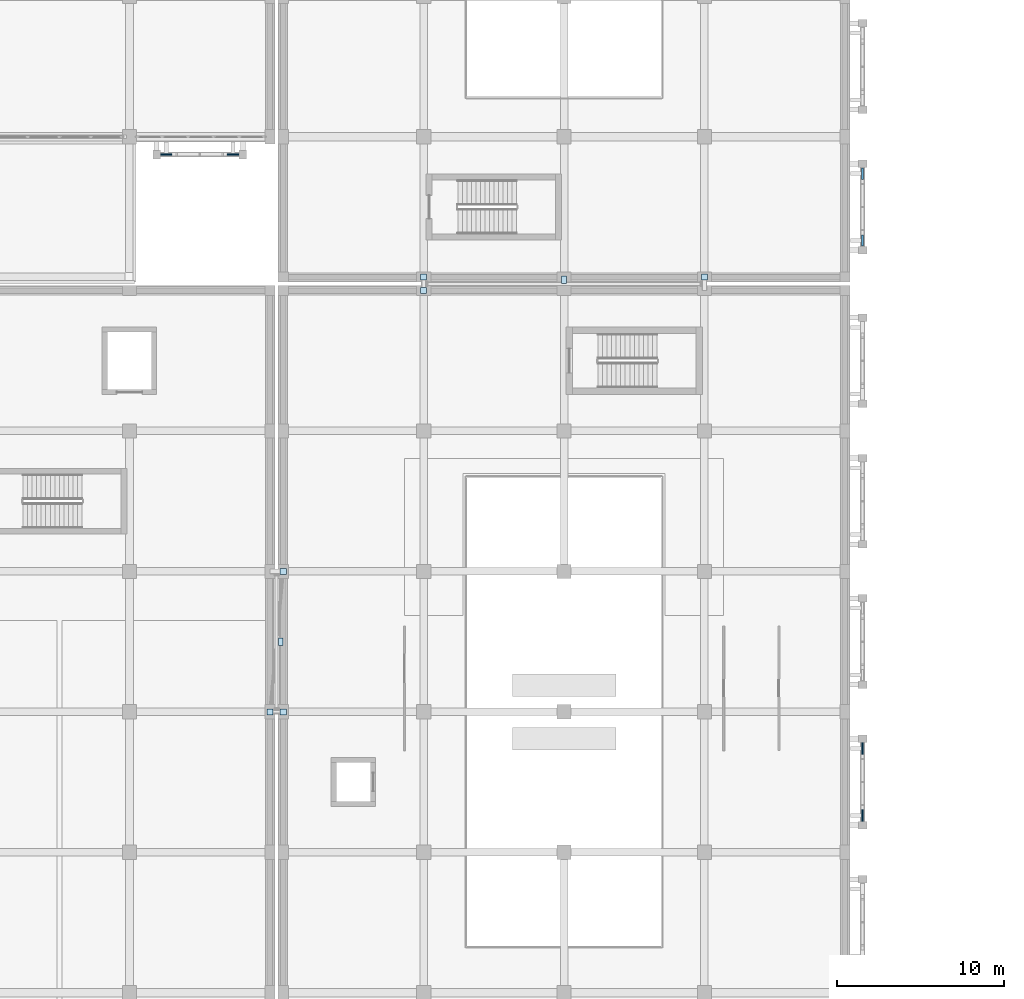
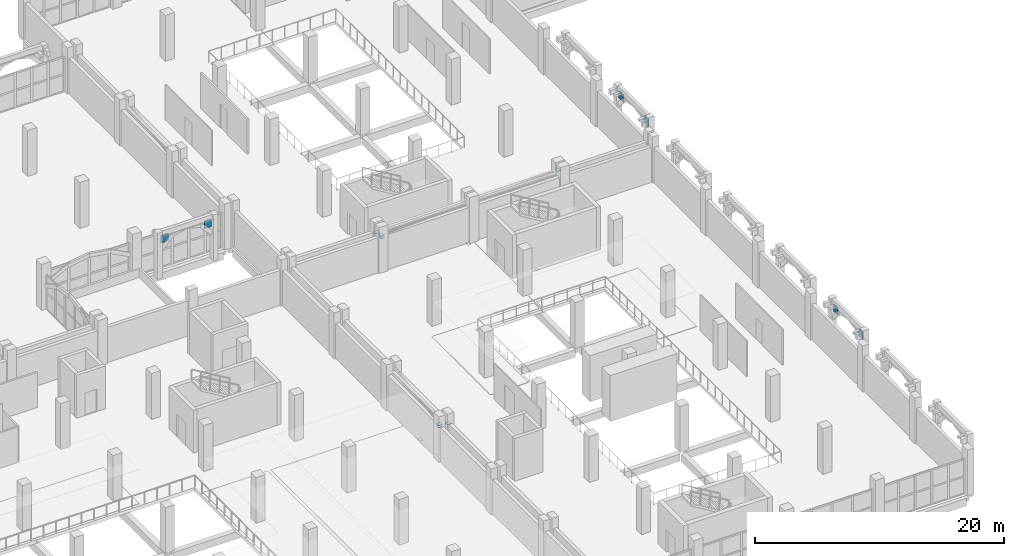
# One storey, part 109 of 137: 16 plates.
"""IFC4 building model written with IfcOpenShell, lengths in metres."""

from ifc_helpers import new_model, si_unit, direction, frame, origin, origin_2d, place, context, subcontext, project, spatial, rectangle, extrude, material, layer, layer_set, type_object, element, save


model = new_model("IFC4")

# Units and contexts
model_context = context("Model", 3, precision=1e-05, world=origin(), true_north=direction((0.0, 1.0)))
body_context = subcontext(model_context, "Body", "Model", "MODEL_VIEW")
ifc_project = project(units=[si_unit("LENGTHUNIT", "METRE"), si_unit("AREAUNIT", "SQUARE_METRE"), si_unit("VOLUMEUNIT", "CUBIC_METRE"), si_unit("PLANEANGLEUNIT", "RADIAN"), si_unit("MASSUNIT", "GRAM", prefix="KILO")], contexts=[model_context])

# Site, building, storey
site_placement = place(None, origin())
site = spatial("IfcSite", under=ifc_project, at=site_placement, CompositionType="ELEMENT")
building_placement = place(site_placement, origin())
building = spatial("IfcBuilding", under=site, at=building_placement, Name="Xazarin Passage Department Store", CompositionType="ELEMENT")
storey_placement = place(building_placement, frame((0.0, 0.0, 5.39990234375)))
storey = spatial("IfcBuildingStorey", under=building, at=storey_placement, Name="L01", CompositionType="ELEMENT", Elevation=5.39990234375)

# Plates
ifc_material_1 = material(Name="Precast concrete C40/50", Category="concrete")
ifc_layer_1 = layer(ifc_material_1, 0.080078125)
ifc_layer_set_1 = layer_set([ifc_layer_1], Name="Precast concrete C40/50")
plate_type_1 = type_object("IfcPlateType", Name="ARC-PLT-SCR-01", PredefinedType="USERDEFINED", material=ifc_layer_set_1)
for number, where, z_axis, x_axis, name in (
    (1, (102.64990234375, 19.0, 3.26025390625), (0.0, 0.0, 1.0), (0.0, 1.0, 0.0), "L01 V2S Arch Spandrel Tympanum 0181"),
    (2, (102.64990234375, 23.0, 3.26025390625), (0.0, 0.0, 1.0), (0.0, 1.0, 0.0), "L01 V2S Arch Spandrel Tympanum 0182"),
):
    element("IfcPlate", number, at=place(storey_placement, frame(where, z_axis=z_axis, x_axis=x_axis)), inside=storey, type_object=plate_type_1, Name=name, ObjectType="SCREEN PANEL", PredefinedType="USERDEFINED", context=body_context, shape_type="SweptSolid", body=[
        extrude(rectangle(XDim=0.679931640625, YDim=0.080078125, at=origin_2d()), origin(), (0.0, 0.0, 1.0), 0.719970703125),
    ])
ifc_layer_2 = layer(ifc_material_1, 0.10009765625)
ifc_layer_set_2 = layer_set([ifc_layer_2], Name="Precast concrete C40/50")
plate_type_2 = type_object("IfcPlateType", Name="ARC-PLT-SCR-03", PredefinedType="USERDEFINED", material=ifc_layer_set_2)
for number, where, z_axis, x_axis, name in (
    (3, (61.0, 58.550048828125, 3.26025390625), (0.0, 0.0, 1.0), (1.0, 0.0, 0.0), "L01 V1 Arch Spandrel Tympanum 0063"),
    (4, (65.0, 58.550048828125, 3.26025390625), (0.0, 0.0, 1.0), (1.0, 0.0, 0.0), "L01 V1 Arch Spandrel Tympanum 0064"),
):
    element("IfcPlate", number, at=place(storey_placement, frame(where, z_axis=z_axis, x_axis=x_axis)), inside=storey, type_object=plate_type_2, Name=name, ObjectType="SCREEN PANEL", PredefinedType="USERDEFINED", context=body_context, shape_type="SweptSolid", body=[
        extrude(rectangle(XDim=0.679931640625, YDim=0.10009765625, at=origin_2d()), origin(), (0.0, 0.0, 1.0), 0.719970703125),
    ])
ifc_layer_3 = layer(ifc_material_1, 0.1201171875)
ifc_layer_set_3 = layer_set([ifc_layer_3], Name="Precast concrete C40/50")
plate_type_3 = type_object("IfcPlateType", Name="ARC-PLT-SCR-05", PredefinedType="USERDEFINED", material=ifc_layer_set_3)
for number, where, z_axis, x_axis, name in (
    (5, (102.64990234375, 53.39990234375, 3.26025390625), (0.0, 0.0, 1.0), (0.0, 1.0, 0.0), "L01 V2N Arch Spandrel Tympanum 0205"),
    (6, (102.64990234375, 57.39990234375, 3.26025390625), (0.0, 0.0, 1.0), (0.0, 1.0, 0.0), "L01 V2N Arch Spandrel Tympanum 0206"),
):
    element("IfcPlate", number, at=place(storey_placement, frame(where, z_axis=z_axis, x_axis=x_axis)), inside=storey, type_object=plate_type_3, Name=name, ObjectType="SCREEN PANEL", PredefinedType="USERDEFINED", context=body_context, shape_type="SweptSolid", body=[
        extrude(rectangle(XDim=0.679931640625, YDim=0.1201171875, at=origin_2d()), origin(), (0.0, 0.0, 1.0), 0.719970703125),
    ])
ifc_material_2 = material(Name="Steel S355", Category="steel")
ifc_layer_4 = layer(ifc_material_2, 0.030029296875)
ifc_layer_set_4 = layer_set([ifc_layer_4], Name="Steel S355")
plate_type_4 = type_object("IfcPlateType", Name="STR-PLT-BRG30", PredefinedType="USERDEFINED", material=ifc_layer_set_4)
for number, where, z_axis, x_axis, name in (
    (7, (67.85009765625, 29.39990234375, -0.81982421875), (0.0, 0.0, 1.0), (1.0, 0.0, 0.0), "L01 BR-V2S-V3 PTFE Sliding Bearing Plate"),
    (8, (84.800048828125, 51.050048828125, -0.72998046875), (0.0, 0.0, 1.0), (1.0, 0.0, 0.0), "L01 BR-V2S-V2N PTFE Sliding Bearing Plate"),
):
    element("IfcPlate", number, at=place(storey_placement, frame(where, z_axis=z_axis, x_axis=x_axis)), inside=storey, type_object=plate_type_4, Name=name, ObjectType="BASE PLATE", PredefinedType="USERDEFINED", context=body_context, shape_type="SweptSolid", body=[
        extrude(rectangle(XDim=0.280029296875, YDim=0.449951171875, at=origin_2d()), origin(), (0.0, 0.0, 1.0), 0.030029296875),
    ])
ifc_layer_5 = layer(ifc_material_2, 0.02001953125)
ifc_layer_set_5 = layer_set([ifc_layer_5], Name="Steel S355")
plate_type_5 = type_object("IfcPlateType", Name="STR-PLT-CAP20", PredefinedType="USERDEFINED", material=ifc_layer_set_5)
for number, where, z_axis, x_axis, name in (
    (9, (67.199951171875, 25.199951171875, 3.23193359375), (0.0, 0.0, 1.0), (1.0, 0.0, 0.0), "L01 BR-V2S-V3 Bridge Member End Cap 1"),
    (10, (68.0, 25.199951171875, 3.23193359375), (0.0, 0.0, 1.0), (1.0, 0.0, 0.0), "L01 BR-V2S-V3 Bridge Member End Cap 2"),
    (11, (67.199951171875, 25.199951171875, 3.45703125), (0.0, 0.0, 1.0), (1.0, 0.0, 0.0), "L01 BR-V2S-V3 Bridge Member End Cap 3"),
    (12, (68.0, 33.60009765625, 3.45703125), (0.0, 0.0, 1.0), (1.0, 0.0, 0.0), "L01 BR-V2S-V3 Bridge Member End Cap 4"),
    (13, (76.39990234375, 50.39990234375, 3.23193359375), (0.0, 0.0, 1.0), (1.0, 0.0, 0.0), "L01 BR-V2S-V2N Bridge Member End Cap 1"),
    (14, (76.39990234375, 51.199951171875, 3.23193359375), (0.0, 0.0, 1.0), (1.0, 0.0, 0.0), "L01 BR-V2S-V2N Bridge Member End Cap 2"),
    (15, (76.39990234375, 50.39990234375, 3.45703125), (0.0, 0.0, 1.0), (1.0, 0.0, 0.0), "L01 BR-V2S-V2N Bridge Member End Cap 3"),
    (16, (93.199951171875, 51.199951171875, 3.45703125), (0.0, 0.0, 1.0), (1.0, 0.0, 0.0), "L01 BR-V2S-V2N Bridge Member End Cap 4"),
):
    element("IfcPlate", number, at=place(storey_placement, frame(where, z_axis=z_axis, x_axis=x_axis)), inside=storey, type_object=plate_type_5, Name=name, ObjectType="GUSSET PLATE", PredefinedType="USERDEFINED", context=body_context, shape_type="SweptSolid", body=[
        extrude(rectangle(XDim=0.360107421875, YDim=0.360107421875, at=origin_2d()), origin(), (0.0, 0.0, 1.0), 0.035888671875),
    ])

save(model, "model.ifc")
